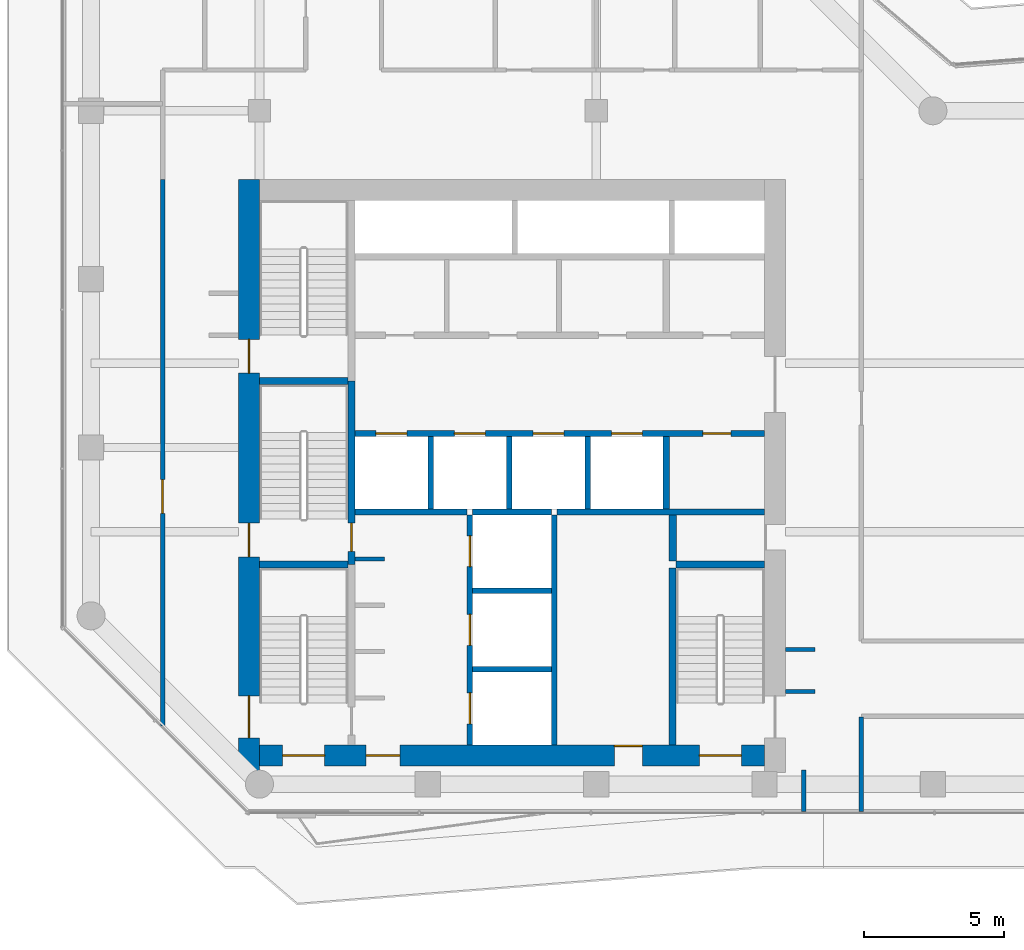
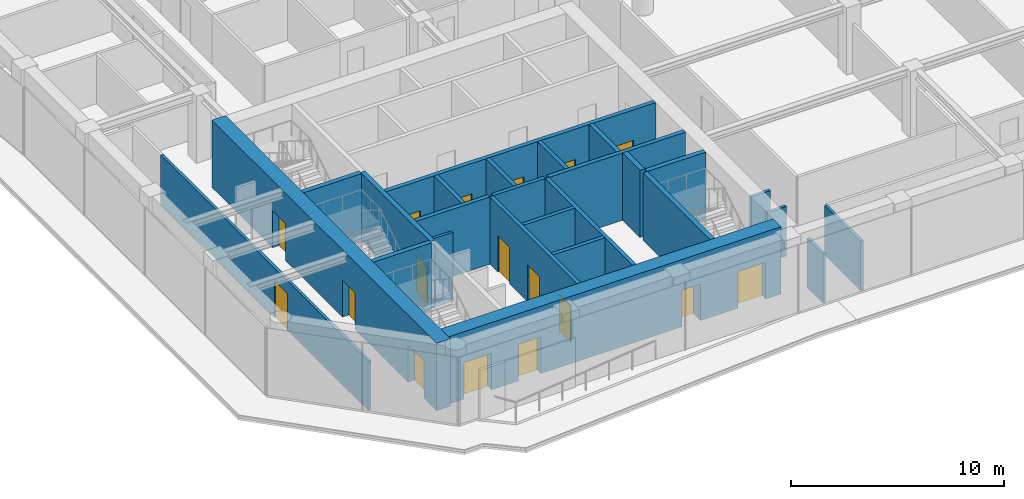
# One storey, part 20 of 25: 26 walls, 17 doors, 17 openings.
"""IFC4 building model written with IfcOpenShell, lengths in metres."""

from ifc_helpers import new_model, si_unit, direction, frame, frame_2d, origin, place, context, subcontext, project, spatial, rectangle, extrude, material, layer, layer_set, type_object, element, fill, save


model = new_model("IFC4")

# Units and contexts
model_context = context("Model", 3, precision=1e-05, world=origin(), true_north=direction((0.0, 1.0)))
body_context = subcontext(model_context, "Body", "Model", "MODEL_VIEW")
ifc_project = project(units=[si_unit("LENGTHUNIT", "METRE"), si_unit("AREAUNIT", "SQUARE_METRE"), si_unit("VOLUMEUNIT", "CUBIC_METRE"), si_unit("PLANEANGLEUNIT", "RADIAN"), si_unit("MASSUNIT", "GRAM", prefix="KILO")], contexts=[model_context])

# Site, building, storey
site_placement = place(None, origin())
site = spatial("IfcSite", under=ifc_project, at=site_placement, CompositionType="ELEMENT")
building_placement = place(site_placement, origin())
building = spatial("IfcBuilding", under=site, at=building_placement, Name="Welwitschia Terrace Campus", CompositionType="ELEMENT")
storey_placement = place(building_placement, frame((0.0, 0.0, 92.0)))
storey = spatial("IfcBuildingStorey", under=building, at=storey_placement, Name="L20", CompositionType="ELEMENT", Elevation=92.0)

# Walls
ifc_material_1 = material(Name="Concrete C32/40", Category="concrete")
ifc_layer_1 = layer(ifc_material_1, 0.22509765625)
ifc_layer_set_1 = layer_set([ifc_layer_1], Name="Concrete C32/40")
wall_type_1 = type_object("IfcWallType", Name="Core partition 225 Concrete C32/40", PredefinedType="PARTITIONING", material=ifc_layer_set_1)
wall_1_placement = place(storey_placement, frame((9.39990234375, 13.699951171875, 0.0), z_axis=(0.0, 0.0, 1.0), x_axis=(1.0, 0.0, 0.0)))
element("IfcWall", 1, at=wall_1_placement, inside=storey, type_object=wall_type_1, Name="Shaft wall", PredefinedType="PARTITIONING", context=body_context, shape_type="SweptSolid", body=[
    extrude(rectangle(XDim=4.0, YDim=0.22509765625, at=frame_2d((2.0, 0.0))), origin(), (0.0, 0.0, 1.0), 3.85009765625),
])
wall_2_placement = place(storey_placement, frame((16.60009765625, 13.699951171875, 0.0), z_axis=(0.0, 0.0, 1.0), x_axis=(1.0, 0.0, 0.0)))
element("IfcWall", 2, at=wall_2_placement, inside=storey, type_object=wall_type_1, Name="Shaft wall", PredefinedType="PARTITIONING", context=body_context, shape_type="SweptSolid", body=[
    extrude(rectangle(XDim=7.39990234375, YDim=0.22509765625, at=frame_2d((3.699951171875, 0.0))), origin(), (0.0, 0.0, 1.0), 3.85009765625),
])

# Wall, openings, doors
wall_3_placement = place(storey_placement, frame((9.39990234375, 16.5, 0.0), z_axis=(0.0, 0.0, 1.0), x_axis=(1.0, 0.0, 0.0)))
wall_3 = element("IfcWall", 3, at=wall_3_placement, inside=storey, type_object=wall_type_1, Name="Shaft wall", PredefinedType="PARTITIONING", context=body_context, shape_type="SweptSolid", body=[
    extrude(rectangle(XDim=14.60009765625, YDim=0.22509765625, at=frame_2d((7.300048828125, 0.0))), origin(), (0.0, 0.0, 1.0), 3.85009765625),
])
opening_1_placement = place(wall_3_placement, frame((0.75, 0.0, 0.0)))
opening_1 = element("IfcOpeningElement", 4, at=opening_1_placement, cuts=wall_3, Name="Opening LD", PredefinedType="OPENING", context=body_context, shape_type="SweptSolid", body=[
    extrude(rectangle(XDim=1.10009765625, YDim=2.10009765625, at=frame_2d((0.550048828125, 1.050048828125))), frame((0.0, 0.12255859375, 0.0), z_axis=(0.0, -1.0, 0.0), x_axis=(1.0, 0.0, 0.0)), (0.0, 0.0, 1.0), 0.2451171875),
])
opening_2_placement = place(wall_3_placement, frame((3.550048828125, 0.0, 0.0)))
opening_2 = element("IfcOpeningElement", 5, at=opening_2_placement, cuts=wall_3, Name="Opening LD", PredefinedType="OPENING", context=body_context, shape_type="SweptSolid", body=[
    extrude(rectangle(XDim=1.10009765625, YDim=2.10009765625, at=frame_2d((0.550048828125, 1.050048828125))), frame((0.0, 0.12255859375, 0.0), z_axis=(0.0, -1.0, 0.0), x_axis=(1.0, 0.0, 0.0)), (0.0, 0.0, 1.0), 0.2451171875),
])
opening_3_placement = place(wall_3_placement, frame((6.35009765625, 0.0, 0.0)))
opening_3 = element("IfcOpeningElement", 6, at=opening_3_placement, cuts=wall_3, Name="Opening LD", PredefinedType="OPENING", context=body_context, shape_type="SweptSolid", body=[
    extrude(rectangle(XDim=1.10009765625, YDim=2.10009765625, at=frame_2d((0.550048828125, 1.050048828125))), frame((0.0, 0.12255859375, 0.0), z_axis=(0.0, -1.0, 0.0), x_axis=(1.0, 0.0, 0.0)), (0.0, 0.0, 1.0), 0.2451171875),
])
opening_4_placement = place(wall_3_placement, frame((9.14990234375, 0.0, 0.0)))
opening_4 = element("IfcOpeningElement", 7, at=opening_4_placement, cuts=wall_3, Name="Opening LD", PredefinedType="OPENING", context=body_context, shape_type="SweptSolid", body=[
    extrude(rectangle(XDim=1.10009765625, YDim=2.10009765625, at=frame_2d((0.550048828125, 1.050048828125))), frame((0.0, 0.12255859375, 0.0), z_axis=(0.0, -1.0, 0.0), x_axis=(1.0, 0.0, 0.0)), (0.0, 0.0, 1.0), 0.2451171875),
])
opening_5_placement = place(wall_3_placement, frame((12.39990234375, 0.0, 0.0)))
opening_5 = element("IfcOpeningElement", 8, at=opening_5_placement, cuts=wall_3, Name="Opening DR10", PredefinedType="OPENING", context=body_context, shape_type="SweptSolid", body=[
    extrude(rectangle(XDim=1.0, YDim=2.10009765625, at=frame_2d((0.5, 1.050048828125))), frame((0.0, 0.12255859375, 0.0), z_axis=(0.0, -1.0, 0.0), x_axis=(1.0, 0.0, 0.0)), (0.0, 0.0, 1.0), 0.2451171875),
])
ifc_material_2 = material(Name="Steel S275", Category="steel")
door_type_1 = type_object("IfcDoorType", Name="Core door DR10", OperationType="SINGLE_SWING_LEFT", PredefinedType="DOOR", material=ifc_material_2)
door_1_placement = place(opening_5_placement, origin())
door_1 = element("IfcDoor", 9, at=door_1_placement, inside=storey, type_object=door_type_1, Name="Door EL-D", OperationType="SINGLE_SWING_RIGHT", OverallHeight=2.10009765625, OverallWidth=1.0, PredefinedType="DOOR", context=body_context, shape_type="SweptSolid", body=[
    extrude(rectangle(XDim=1.0, YDim=2.10009765625, at=frame_2d((0.5, 1.050048828125))), frame((0.0, 0.02490234375, 0.0), z_axis=(0.0, -1.0, 0.0), x_axis=(1.0, 0.0, 0.0)), (0.0, 0.0, 1.0), 0.050048828125),
])
fill(opening_5, door_1)
ifc_material_3 = material(Name="Stainless steel 304", Category="steel")
door_type_2 = type_object("IfcDoorType", Name="Lift landing door", OperationType="DOUBLE_DOOR_SLIDING", PredefinedType="DOOR", material=ifc_material_3)
door_2_placement = place(opening_1_placement, origin())
door_2 = element("IfcDoor", 10, at=door_2_placement, inside=storey, type_object=door_type_2, Name="Landing door LR1", OperationType="DOUBLE_DOOR_SLIDING", OverallHeight=2.10009765625, OverallWidth=1.10009765625, PredefinedType="DOOR", context=body_context, shape_type="SweptSolid", body=[
    extrude(rectangle(XDim=1.10009765625, YDim=2.10009765625, at=frame_2d((0.550048828125, 1.050048828125))), frame((0.0, 0.02490234375, 0.0), z_axis=(0.0, -1.0, 0.0), x_axis=(1.0, 0.0, 0.0)), (0.0, 0.0, 1.0), 0.050048828125),
])
fill(opening_1, door_2)
door_3_placement = place(opening_2_placement, origin())
door_3 = element("IfcDoor", 11, at=door_3_placement, inside=storey, type_object=door_type_2, Name="Landing door LR2", OperationType="DOUBLE_DOOR_SLIDING", OverallHeight=2.10009765625, OverallWidth=1.10009765625, PredefinedType="DOOR", context=body_context, shape_type="SweptSolid", body=[
    extrude(rectangle(XDim=1.10009765625, YDim=2.10009765625, at=frame_2d((0.550048828125, 1.050048828125))), frame((0.0, 0.02490234375, 0.0), z_axis=(0.0, -1.0, 0.0), x_axis=(1.0, 0.0, 0.0)), (0.0, 0.0, 1.0), 0.050048828125),
])
fill(opening_2, door_3)
door_4_placement = place(opening_3_placement, origin())
door_4 = element("IfcDoor", 12, at=door_4_placement, inside=storey, type_object=door_type_2, Name="Landing door LR3", OperationType="DOUBLE_DOOR_SLIDING", OverallHeight=2.10009765625, OverallWidth=1.10009765625, PredefinedType="DOOR", context=body_context, shape_type="SweptSolid", body=[
    extrude(rectangle(XDim=1.10009765625, YDim=2.10009765625, at=frame_2d((0.550048828125, 1.050048828125))), frame((0.0, 0.02490234375, 0.0), z_axis=(0.0, -1.0, 0.0), x_axis=(1.0, 0.0, 0.0)), (0.0, 0.0, 1.0), 0.050048828125),
])
fill(opening_3, door_4)
door_5_placement = place(opening_4_placement, origin())
door_5 = element("IfcDoor", 13, at=door_5_placement, inside=storey, type_object=door_type_2, Name="Landing door LR4", OperationType="DOUBLE_DOOR_SLIDING", OverallHeight=2.10009765625, OverallWidth=1.10009765625, PredefinedType="DOOR", context=body_context, shape_type="SweptSolid", body=[
    extrude(rectangle(XDim=1.10009765625, YDim=2.10009765625, at=frame_2d((0.550048828125, 1.050048828125))), frame((0.0, 0.02490234375, 0.0), z_axis=(0.0, -1.0, 0.0), x_axis=(1.0, 0.0, 0.0)), (0.0, 0.0, 1.0), 0.050048828125),
])
fill(opening_4, door_5)

# Walls
wall_4_placement = place(storey_placement, frame((20.5, 13.800048828125, 0.0), z_axis=(0.0, 0.0, 1.0), x_axis=(0.0, 1.0, 0.0)))
element("IfcWall", 14, at=wall_4_placement, inside=storey, type_object=wall_type_1, Name="Shaft wall", PredefinedType="PARTITIONING", context=body_context, shape_type="SweptSolid", body=[
    extrude(rectangle(XDim=2.599853515625, YDim=0.22509765625, at=frame_2d((1.2998046875, 0.0))), origin(), (0.0, 0.0, 1.0), 3.85009765625),
])
ifc_material_4 = material(Name="Concrete C32/40", Category="concrete")
ifc_layer_2 = layer(ifc_material_4, 0.27490234375)
ifc_layer_set_2 = layer_set([ifc_layer_2], Name="Concrete C32/40")
wall_type_2 = type_object("IfcWallType", Name="Core partition 275 Concrete C32/40", PredefinedType="PARTITIONING", material=ifc_layer_set_2)
wall_5_placement = place(storey_placement, frame((20.72509765625, 11.949951171875, 0.0), z_axis=(0.0, 0.0, 1.0), x_axis=(0.0, 1.0, 0.0)))
element("IfcWall", 15, at=wall_5_placement, inside=storey, type_object=wall_type_2, Name="Core partition", PredefinedType="PARTITIONING", context=body_context, shape_type="SweptSolid", body=[
    extrude(rectangle(XDim=1.650146484375, YDim=0.27490234375, at=frame_2d((0.8251953125, 0.0))), origin(), (0.0, 0.0, 1.0), 3.85009765625),
])
ifc_material_5 = material(Name="Concrete C50/60", Category="concrete")
ifc_layer_3 = layer(ifc_material_5, 0.14990234375)
ifc_layer_set_3 = layer_set([ifc_layer_3], Name="Concrete C50/60")
wall_type_3 = type_object("IfcWallType", Name="Core wall 150 Concrete C50/60", PredefinedType="SHEAR", material=ifc_layer_set_3)
wall_6_placement = place(storey_placement, frame((9.39990234375, 12.02490234375, 0.0), z_axis=(0.0, 0.0, 1.0), x_axis=(1.0, 0.0, 0.0)))
element("IfcWall", 16, at=wall_6_placement, inside=storey, type_object=wall_type_3, Name="Core wall", PredefinedType="SHEAR", context=body_context, shape_type="SweptSolid", body=[
    extrude(rectangle(XDim=1.050048828125, YDim=0.14990234375, at=frame_2d((0.52490234375, 0.0))), origin(), (0.0, 0.0, 1.0), 3.85009765625),
])
ifc_material_6 = material(Name="Concrete C50/60", Category="concrete")
ifc_layer_4 = layer(ifc_material_6, 0.199951171875)
ifc_layer_set_4 = layer_set([ifc_layer_4], Name="Concrete C50/60")
wall_type_4 = type_object("IfcWallType", Name="Core wall 200 Concrete C50/60", PredefinedType="SHEAR", material=ifc_layer_set_4)
for number, where, z_axis, x_axis, name in (
    (17, (13.60009765625, 8.10009765625, 0.0), (0.0, 0.0, 1.0), (1.0, 0.0, 0.0), "Core wall"),
    (18, (13.60009765625, 10.89990234375, 0.0), (0.0, 0.0, 1.0), (1.0, 0.0, 0.0), "Core wall"),
    (19, (13.60009765625, 13.699951171875, 0.0), (0.0, 0.0, 1.0), (1.0, 0.0, 0.0), "Core wall"),
):
    element("IfcWall", number, at=place(storey_placement, frame(where, z_axis=z_axis, x_axis=x_axis)), inside=storey, type_object=wall_type_4, Name=name, PredefinedType="SHEAR", context=body_context, shape_type="SweptSolid", body=[
        extrude(rectangle(XDim=2.7998046875, YDim=0.199951171875, at=frame_2d((1.39990234375, 0.0))), origin(), (0.0, 0.0, 1.0), 3.85009765625),
    ])

# Wall, openings, doors
wall_7_placement = place(storey_placement, frame((13.5, 5.39990234375, 0.0), z_axis=(0.0, 0.0, 1.0), x_axis=(0.0, 1.0, 0.0)))
wall_7 = element("IfcWall", 20, at=wall_7_placement, inside=storey, type_object=wall_type_4, Name="Core wall", PredefinedType="SHEAR", context=body_context, shape_type="SweptSolid", body=[
    extrude(rectangle(XDim=8.2001953125, YDim=0.199951171875, at=frame_2d((4.10009765625, 0.0))), origin(), (0.0, 0.0, 1.0), 3.85009765625),
])
opening_6_placement = place(wall_7_placement, frame((0.75, 0.0, 0.0)))
opening_6 = element("IfcOpeningElement", 21, at=opening_6_placement, cuts=wall_7, Name="Opening LD", PredefinedType="OPENING", context=body_context, shape_type="SweptSolid", body=[
    extrude(rectangle(XDim=1.10009765625, YDim=2.10009765625, at=frame_2d((0.550048828125, 1.050048828125))), frame((0.0, 0.10986328125, 0.0), z_axis=(0.0, -1.0, 0.0), x_axis=(1.0, 0.0, 0.0)), (0.0, 0.0, 1.0), 0.219970703125),
])
opening_7_placement = place(wall_7_placement, frame((3.550048828125, 0.0, 0.0)))
opening_7 = element("IfcOpeningElement", 22, at=opening_7_placement, cuts=wall_7, Name="Opening LD", PredefinedType="OPENING", context=body_context, shape_type="SweptSolid", body=[
    extrude(rectangle(XDim=1.10009765625, YDim=2.10009765625, at=frame_2d((0.550048828125, 1.050048828125))), frame((0.0, 0.10986328125, 0.0), z_axis=(0.0, -1.0, 0.0), x_axis=(1.0, 0.0, 0.0)), (0.0, 0.0, 1.0), 0.219970703125),
])
opening_8_placement = place(wall_7_placement, frame((6.35009765625, 0.0, 0.0)))
opening_8 = element("IfcOpeningElement", 23, at=opening_8_placement, cuts=wall_7, Name="Opening LD", PredefinedType="OPENING", context=body_context, shape_type="SweptSolid", body=[
    extrude(rectangle(XDim=1.10009765625, YDim=2.10009765625, at=frame_2d((0.550048828125, 1.050048828125))), frame((0.0, 0.10986328125, 0.0), z_axis=(0.0, -1.0, 0.0), x_axis=(1.0, 0.0, 0.0)), (0.0, 0.0, 1.0), 0.219970703125),
])
door_6_placement = place(opening_6_placement, origin())
door_6 = element("IfcDoor", 24, at=door_6_placement, inside=storey, type_object=door_type_2, Name="Landing door FF1", OperationType="DOUBLE_DOOR_SLIDING", OverallHeight=2.10009765625, OverallWidth=1.10009765625, PredefinedType="DOOR", context=body_context, shape_type="SweptSolid", body=[
    extrude(rectangle(XDim=1.10009765625, YDim=2.10009765625, at=frame_2d((0.550048828125, 1.050048828125))), frame((0.0, 0.02490234375, 0.0), z_axis=(0.0, -1.0, 0.0), x_axis=(1.0, 0.0, 0.0)), (0.0, 0.0, 1.0), 0.050048828125),
])
fill(opening_6, door_6)
door_7_placement = place(opening_7_placement, origin())
door_7 = element("IfcDoor", 25, at=door_7_placement, inside=storey, type_object=door_type_2, Name="Landing door FF2", OperationType="DOUBLE_DOOR_SLIDING", OverallHeight=2.10009765625, OverallWidth=1.10009765625, PredefinedType="DOOR", context=body_context, shape_type="SweptSolid", body=[
    extrude(rectangle(XDim=1.10009765625, YDim=2.10009765625, at=frame_2d((0.550048828125, 1.050048828125))), frame((0.0, 0.02490234375, 0.0), z_axis=(0.0, -1.0, 0.0), x_axis=(1.0, 0.0, 0.0)), (0.0, 0.0, 1.0), 0.050048828125),
])
fill(opening_7, door_7)
door_8_placement = place(opening_8_placement, origin())
door_8 = element("IfcDoor", 26, at=door_8_placement, inside=storey, type_object=door_type_2, Name="Landing door SV1", OperationType="DOUBLE_DOOR_SLIDING", OverallHeight=2.10009765625, OverallWidth=1.10009765625, PredefinedType="DOOR", context=body_context, shape_type="SweptSolid", body=[
    extrude(rectangle(XDim=1.10009765625, YDim=2.10009765625, at=frame_2d((0.550048828125, 1.050048828125))), frame((0.0, 0.02490234375, 0.0), z_axis=(0.0, -1.0, 0.0), x_axis=(1.0, 0.0, 0.0)), (0.0, 0.0, 1.0), 0.050048828125),
])
fill(opening_8, door_8)

# Walls
wall_8_placement = place(storey_placement, frame((16.5, 5.39990234375, 0.0), z_axis=(0.0, 0.0, 1.0), x_axis=(0.0, 1.0, 0.0)))
element("IfcWall", 27, at=wall_8_placement, inside=storey, type_object=wall_type_4, Name="Core wall", PredefinedType="SHEAR", context=body_context, shape_type="SweptSolid", body=[
    extrude(rectangle(XDim=8.2001953125, YDim=0.199951171875, at=frame_2d((4.10009765625, 0.0))), origin(), (0.0, 0.0, 1.0), 3.85009765625),
])
ifc_material_7 = material(Name="Concrete C50/60", Category="concrete")
ifc_layer_5 = layer(ifc_material_7, 0.25)
ifc_layer_set_5 = layer_set([ifc_layer_5], Name="Concrete C50/60")
wall_type_5 = type_object("IfcWallType", Name="Core wall 250 Concrete C50/60", PredefinedType="SHEAR", material=ifc_layer_set_5)
for number, where, z_axis, x_axis, name in (
    (28, (6.0, 11.824951171875, 0.0), (0.0, 0.0, 1.0), (1.0, 0.0, 0.0), "Core wall"),
    (29, (20.85009765625, 11.824951171875, 0.0), (0.0, 0.0, 1.0), (1.0, 0.0, 0.0), "Core wall"),
    (30, (6.0, 18.375, 0.0), (0.0, 0.0, 1.0), (1.0, 0.0, 0.0), "Core wall"),
):
    element("IfcWall", number, at=place(storey_placement, frame(where, z_axis=z_axis, x_axis=x_axis)), inside=storey, type_object=wall_type_5, Name=name, PredefinedType="SHEAR", context=body_context, shape_type="SweptSolid", body=[
        extrude(rectangle(XDim=3.14990234375, YDim=0.25, at=frame_2d((1.574951171875, 0.0))), origin(), (0.0, 0.0, 1.0), 3.85009765625),
    ])

# Wall, opening, door
wall_9_placement = place(storey_placement, frame((9.27490234375, 18.375, 0.0), z_axis=(0.0, 0.0, 1.0), x_axis=(0.0, -1.0, 0.0)))
wall_9 = element("IfcWall", 31, at=wall_9_placement, inside=storey, type_object=wall_type_5, Name="Core wall", PredefinedType="SHEAR", context=body_context, shape_type="SweptSolid", body=[
    extrude(rectangle(XDim=6.550048828125, YDim=0.25, at=frame_2d((3.27490234375, 0.0))), origin(), (0.0, 0.0, 1.0), 3.85009765625),
])
opening_9_placement = place(wall_9_placement, frame((5.074951171875, 0.0, 0.0)))
opening_9 = element("IfcOpeningElement", 32, at=opening_9_placement, cuts=wall_9, Name="Opening DS10", PredefinedType="OPENING", context=body_context, shape_type="SweptSolid", body=[
    extrude(rectangle(XDim=1.0, YDim=2.10009765625, at=frame_2d((0.5, 1.050048828125))), frame((0.0, 0.135009765625, 0.0), z_axis=(0.0, -1.0, 0.0), x_axis=(1.0, 0.0, 0.0)), (0.0, 0.0, 1.0), 0.27001953125),
])
ifc_material_8 = material(Name="Steel S275", Category="steel")
door_type_3 = type_object("IfcDoorType", Name="Core door DS10", OperationType="SINGLE_SWING_LEFT", PredefinedType="DOOR", material=ifc_material_8)
door_9_placement = place(opening_9_placement, origin())
door_9 = element("IfcDoor", 33, at=door_9_placement, inside=storey, type_object=door_type_3, Name="Door S3-FL", OperationType="SINGLE_SWING_RIGHT", OverallHeight=2.10009765625, OverallWidth=1.0, PredefinedType="DOOR", context=body_context, shape_type="SweptSolid", body=[
    extrude(rectangle(XDim=1.0, YDim=2.10009765625, at=frame_2d((0.5, 1.050048828125))), frame((0.0, 0.02490234375, 0.0), z_axis=(0.0, -1.0, 0.0), x_axis=(1.0, 0.0, 0.0)), (0.0, 0.0, 1.0), 0.050048828125),
])
fill(opening_9, door_9)

# Wall
wall_10_placement = place(storey_placement, frame((20.72509765625, 5.39990234375, 0.0), z_axis=(0.0, 0.0, 1.0), x_axis=(0.0, 1.0, 0.0)))
element("IfcWall", 34, at=wall_10_placement, inside=storey, type_object=wall_type_5, Name="Core wall", PredefinedType="SHEAR", context=body_context, shape_type="SweptSolid", body=[
    extrude(rectangle(XDim=6.300048828125, YDim=0.25, at=frame_2d((3.14990234375, 0.0))), origin(), (0.0, 0.0, 1.0), 3.85009765625),
])

# Wall, openings, doors
ifc_material_9 = material(Name="Concrete C70/85", Category="concrete")
ifc_layer_6 = layer(ifc_material_9, 0.75)
ifc_layer_set_6 = layer_set([ifc_layer_6], Name="Concrete C70/85")
wall_type_6 = type_object("IfcWallType", Name="Core wall 750 Concrete C70/85", PredefinedType="SHEAR", material=ifc_layer_set_6)
wall_11_placement = place(storey_placement, frame((5.625, 4.469970703125, 0.0), z_axis=(0.0, 0.0, 1.0), x_axis=(0.0, 1.0, 0.0)))
wall_11 = element("IfcWall", 35, at=wall_11_placement, inside=storey, type_object=wall_type_6, Name="Core outer wall", PredefinedType="SHEAR", context=body_context, shape_type="SweptSolid", body=[
    extrude(rectangle(XDim=21.080078125, YDim=0.75, at=frame_2d((10.5400390625, 0.0))), origin(), (0.0, 0.0, 1.0), 3.85009765625),
])
opening_10_placement = place(wall_11_placement, frame((1.179931640625, 0.0, 0.0)))
opening_10 = element("IfcOpeningElement", 36, at=opening_10_placement, cuts=wall_11, Name="Opening DS15", PredefinedType="OPENING", context=body_context, shape_type="SweptSolid", body=[
    extrude(rectangle(XDim=1.5, YDim=2.10009765625, at=frame_2d((0.75, 1.050048828125))), frame((0.0, 0.385009765625, 0.0), z_axis=(0.0, -1.0, 0.0), x_axis=(1.0, 0.0, 0.0)), (0.0, 0.0, 1.0), 0.77001953125),
])
opening_11_placement = place(wall_11_placement, frame((7.6298828125, 0.0, 0.0)))
opening_11 = element("IfcOpeningElement", 37, at=opening_11_placement, cuts=wall_11, Name="Opening DS12", PredefinedType="OPENING", context=body_context, shape_type="SweptSolid", body=[
    extrude(rectangle(XDim=1.199951171875, YDim=2.10009765625, at=frame_2d((0.60009765625, 1.050048828125))), frame((0.0, 0.385009765625, 0.0), z_axis=(0.0, -1.0, 0.0), x_axis=(1.0, 0.0, 0.0)), (0.0, 0.0, 1.0), 0.77001953125),
])
opening_12_placement = place(wall_11_placement, frame((14.179931640625, 0.0, 0.0)))
opening_12 = element("IfcOpeningElement", 38, at=opening_12_placement, cuts=wall_11, Name="Opening DS12", PredefinedType="OPENING", context=body_context, shape_type="SweptSolid", body=[
    extrude(rectangle(XDim=1.199951171875, YDim=2.10009765625, at=frame_2d((0.60009765625, 1.050048828125))), frame((0.0, 0.385009765625, 0.0), z_axis=(0.0, -1.0, 0.0), x_axis=(1.0, 0.0, 0.0)), (0.0, 0.0, 1.0), 0.77001953125),
])
ifc_material_10 = material(Name="Steel S275", Category="steel")
door_type_4 = type_object("IfcDoorType", Name="Core door DS12", OperationType="SINGLE_SWING_LEFT", PredefinedType="DOOR", material=ifc_material_10)
door_10_placement = place(opening_11_placement, origin())
door_10 = element("IfcDoor", 39, at=door_10_placement, inside=storey, type_object=door_type_4, Name="Door S3-out", OperationType="SINGLE_SWING_LEFT", OverallHeight=2.10009765625, OverallWidth=1.199951171875, PredefinedType="DOOR", context=body_context, shape_type="SweptSolid", body=[
    extrude(rectangle(XDim=1.199951171875, YDim=2.10009765625, at=frame_2d((0.60009765625, 1.050048828125))), frame((0.0, 0.02490234375, 0.0), z_axis=(0.0, -1.0, 0.0), x_axis=(1.0, 0.0, 0.0)), (0.0, 0.0, 1.0), 0.050048828125),
])
fill(opening_11, door_10)
door_11_placement = place(opening_12_placement, origin())
door_11 = element("IfcDoor", 40, at=door_11_placement, inside=storey, type_object=door_type_4, Name="Door S4-out", OperationType="SINGLE_SWING_RIGHT", OverallHeight=2.10009765625, OverallWidth=1.199951171875, PredefinedType="DOOR", context=body_context, shape_type="SweptSolid", body=[
    extrude(rectangle(XDim=1.199951171875, YDim=2.10009765625, at=frame_2d((0.60009765625, 1.050048828125))), frame((0.0, 0.02490234375, 0.0), z_axis=(0.0, -1.0, 0.0), x_axis=(1.0, 0.0, 0.0)), (0.0, 0.0, 1.0), 0.050048828125),
])
fill(opening_12, door_11)
ifc_material_11 = material(Name="Steel S275", Category="steel")
door_type_5 = type_object("IfcDoorType", Name="Core door DS15", OperationType="DOUBLE_DOOR_SINGLE_SWING", PredefinedType="DOOR", material=ifc_material_11)
door_12_placement = place(opening_10_placement, origin())
door_12 = element("IfcDoor", 41, at=door_12_placement, inside=storey, type_object=door_type_5, Name="Door S1-out", OperationType="DOUBLE_DOOR_SINGLE_SWING", OverallHeight=2.10009765625, OverallWidth=1.5, PredefinedType="DOOR", context=body_context, shape_type="SweptSolid", body=[
    extrude(rectangle(XDim=1.5, YDim=2.10009765625, at=frame_2d((0.75, 1.050048828125))), frame((0.0, 0.02490234375, 0.0), z_axis=(0.0, -1.0, 0.0), x_axis=(1.0, 0.0, 0.0)), (0.0, 0.0, 1.0), 0.050048828125),
])
fill(opening_10, door_12)

wall_12_placement = place(storey_placement, frame((24.0, 5.02490234375, 0.0), z_axis=(0.0, 0.0, 1.0), x_axis=(-1.0, 0.0, 0.0)))
wall_12 = element("IfcWall", 42, at=wall_12_placement, inside=storey, type_object=wall_type_6, Name="Core outer wall", PredefinedType="SHEAR", context=body_context, shape_type="SweptSolid", body=[
    extrude(rectangle(XDim=18.0, YDim=0.75, at=frame_2d((9.0, 0.0))), origin(), (0.0, 0.0, 1.0), 3.85009765625),
])
opening_13_placement = place(wall_12_placement, frame((0.824951171875, 0.0, 0.0)))
opening_13 = element("IfcOpeningElement", 43, at=opening_13_placement, cuts=wall_12, Name="Opening DS15", PredefinedType="OPENING", context=body_context, shape_type="SweptSolid", body=[
    extrude(rectangle(XDim=1.5, YDim=2.10009765625, at=frame_2d((0.75, 1.050048828125))), frame((0.0, 0.385009765625, 0.0), z_axis=(0.0, -1.0, 0.0), x_axis=(1.0, 0.0, 0.0)), (0.0, 0.0, 1.0), 0.77001953125),
])
opening_14_placement = place(wall_12_placement, frame((15.675048828125, 0.0, 0.0)))
opening_14 = element("IfcOpeningElement", 44, at=opening_14_placement, cuts=wall_12, Name="Opening DS15", PredefinedType="OPENING", context=body_context, shape_type="SweptSolid", body=[
    extrude(rectangle(XDim=1.5, YDim=2.10009765625, at=frame_2d((0.75, 1.050048828125))), frame((0.0, 0.385009765625, 0.0), z_axis=(0.0, -1.0, 0.0), x_axis=(1.0, 0.0, 0.0)), (0.0, 0.0, 1.0), 0.77001953125),
])
opening_15_placement = place(wall_12_placement, frame((13.0, 0.0, 0.0)))
opening_15 = element("IfcOpeningElement", 45, at=opening_15_placement, cuts=wall_12, Name="Opening DF12", PredefinedType="OPENING", context=body_context, shape_type="SweptSolid", body=[
    extrude(rectangle(XDim=1.199951171875, YDim=2.10009765625, at=frame_2d((0.60009765625, 1.050048828125))), frame((0.0, 0.385009765625, 0.0), z_axis=(0.0, -1.0, 0.0), x_axis=(1.0, 0.0, 0.0)), (0.0, 0.0, 1.0), 0.77001953125),
])
opening_16_placement = place(wall_12_placement, frame((4.35009765625, 0.0, 0.0)))
opening_16 = element("IfcOpeningElement", 46, at=opening_16_placement, cuts=wall_12, Name="Opening DR10", PredefinedType="OPENING", context=body_context, shape_type="SweptSolid", body=[
    extrude(rectangle(XDim=1.0, YDim=2.10009765625, at=frame_2d((0.5, 1.050048828125))), frame((0.0, 0.385009765625, 0.0), z_axis=(0.0, -1.0, 0.0), x_axis=(1.0, 0.0, 0.0)), (0.0, 0.0, 1.0), 0.77001953125),
])
ifc_material_12 = material(Name="Steel S275", Category="steel")
door_type_6 = type_object("IfcDoorType", Name="Core door DF12", OperationType="SINGLE_SWING_LEFT", PredefinedType="DOOR", material=ifc_material_12)
door_13_placement = place(opening_15_placement, origin())
door_13 = element("IfcDoor", 47, at=door_13_placement, inside=storey, type_object=door_type_6, Name="Door FL-out", OperationType="SINGLE_SWING_RIGHT", OverallHeight=2.10009765625, OverallWidth=1.199951171875, PredefinedType="DOOR", context=body_context, shape_type="SweptSolid", body=[
    extrude(rectangle(XDim=1.199951171875, YDim=2.10009765625, at=frame_2d((0.60009765625, 1.050048828125))), frame((0.0, 0.02490234375, 0.0), z_axis=(0.0, -1.0, 0.0), x_axis=(1.0, 0.0, 0.0)), (0.0, 0.0, 1.0), 0.050048828125),
])
fill(opening_15, door_13)
door_14_placement = place(opening_16_placement, origin())
door_14 = element("IfcDoor", 48, at=door_14_placement, inside=storey, type_object=door_type_1, Name="Door F1-out", OperationType="SINGLE_SWING_LEFT", OverallHeight=2.10009765625, OverallWidth=1.0, PredefinedType="DOOR", context=body_context, shape_type="SweptSolid", body=[
    extrude(rectangle(XDim=1.0, YDim=2.10009765625, at=frame_2d((0.5, 1.050048828125))), frame((0.0, -0.31494140625, 0.0), z_axis=(0.0, -1.0, 0.0), x_axis=(1.0, 0.0, 0.0)), (0.0, 0.0, 1.0), 0.050048828125),
])
fill(opening_16, door_14)
door_15_placement = place(opening_13_placement, origin())
door_15 = element("IfcDoor", 49, at=door_15_placement, inside=storey, type_object=door_type_5, Name="Door S2-outS", OperationType="DOUBLE_DOOR_SINGLE_SWING", OverallHeight=2.10009765625, OverallWidth=1.5, PredefinedType="DOOR", context=body_context, shape_type="SweptSolid", body=[
    extrude(rectangle(XDim=1.5, YDim=2.10009765625, at=frame_2d((0.75, 1.050048828125))), frame((0.0, 0.02490234375, 0.0), z_axis=(0.0, -1.0, 0.0), x_axis=(1.0, 0.0, 0.0)), (0.0, 0.0, 1.0), 0.050048828125),
])
fill(opening_13, door_15)
door_16_placement = place(opening_14_placement, origin())
door_16 = element("IfcDoor", 50, at=door_16_placement, inside=storey, type_object=door_type_5, Name="Door S1-outS", OperationType="DOUBLE_DOOR_SINGLE_SWING", OverallHeight=2.10009765625, OverallWidth=1.5, PredefinedType="DOOR", context=body_context, shape_type="SweptSolid", body=[
    extrude(rectangle(XDim=1.5, YDim=2.10009765625, at=frame_2d((0.75, 1.050048828125))), frame((0.0, 0.02490234375, 0.0), z_axis=(0.0, -1.0, 0.0), x_axis=(1.0, 0.0, 0.0)), (0.0, 0.0, 1.0), 0.050048828125),
])
fill(opening_14, door_16)

# Wall, opening, door
ifc_material_13 = material(Name="Gypsum board on steel studs", Category="steel")
ifc_layer_7 = layer(ifc_material_13, 0.14990234375)
ifc_layer_set_7 = layer_set([ifc_layer_7], Name="Gypsum board on steel studs")
wall_type_7 = type_object("IfcWallType", Name="Corridor partition 150 EI 30", PredefinedType="PARTITIONING", material=ifc_layer_set_7)
wall_13_placement = place(storey_placement, frame((2.550048828125, 6.078125, 0.0), z_axis=(0.0, 0.0, 1.0), x_axis=(0.0, 1.0, 0.0)))
wall_13 = element("IfcWall", 51, at=wall_13_placement, inside=storey, type_object=wall_type_7, Name="Partition", PredefinedType="PARTITIONING", context=body_context, shape_type="SweptSolid", body=[
    extrude(rectangle(XDim=19.471923828125, YDim=0.14990234375, at=frame_2d((9.73583984375, 0.0))), origin(), (0.0, 0.0, 1.0), 2.830078125),
])
opening_17_placement = place(wall_13_placement, frame((7.57177734375, 0.0, 0.0)))
opening_17 = element("IfcOpeningElement", 52, at=opening_17_placement, cuts=wall_13, Name="Opening DI12", PredefinedType="OPENING", context=body_context, shape_type="SweptSolid", body=[
    extrude(rectangle(XDim=1.199951171875, YDim=2.10009765625, at=frame_2d((0.60009765625, 1.050048828125))), frame((0.0, 0.0849609375, 0.0), z_axis=(0.0, -1.0, 0.0), x_axis=(1.0, 0.0, 0.0)), (0.0, 0.0, 1.0), 0.169921875),
])
ifc_material_14 = material(Name="Timber veneered door", Category="wood")
door_type_7 = type_object("IfcDoorType", Name="Interior door DI12", OperationType="NOTDEFINED", PredefinedType="DOOR", material=ifc_material_14)
door_17_placement = place(opening_17_placement, origin())
door_17 = element("IfcDoor", 53, at=door_17_placement, inside=storey, type_object=door_type_7, Name="Door L20 439", OperationType="SINGLE_SWING_RIGHT", OverallHeight=2.10009765625, OverallWidth=1.199951171875, PredefinedType="DOOR", context=body_context, shape_type="SweptSolid", body=[
    extrude(rectangle(XDim=1.199951171875, YDim=2.10009765625, at=frame_2d((0.60009765625, 1.050048828125))), frame((0.0, 0.02490234375, 0.0), z_axis=(0.0, -1.0, 0.0), x_axis=(1.0, 0.0, 0.0)), (0.0, 0.0, 1.0), 0.050048828125),
])
fill(opening_17, door_17)

# Walls
for number, where, z_axis, x_axis, name in (
    (54, (24.75, 7.300048828125, 0.0), (0.0, 0.0, 1.0), (1.0, 0.0, 0.0), "Partition"),
    (55, (24.75, 8.800048828125, 0.0), (0.0, 0.0, 1.0), (1.0, 0.0, 0.0), "Partition"),
):
    element("IfcWall", number, at=place(storey_placement, frame(where, z_axis=z_axis, x_axis=x_axis)), inside=storey, type_object=wall_type_7, Name=name, PredefinedType="PARTITIONING", context=body_context, shape_type="SweptSolid", body=[
        extrude(rectangle(XDim=1.050048828125, YDim=0.14990234375, at=frame_2d((0.52490234375, 0.0))), origin(), (0.0, 0.0, 1.0), 2.830078125),
    ])
wall_14_placement = place(storey_placement, frame((25.39990234375, 3.02001953125, 0.0), z_axis=(0.0, 0.0, 1.0), x_axis=(0.0, 1.0, 0.0)))
element("IfcWall", 56, at=wall_14_placement, inside=storey, type_object=wall_type_7, Name="Partition", PredefinedType="PARTITIONING", context=body_context, shape_type="SweptSolid", body=[
    extrude(rectangle(XDim=1.47998046875, YDim=0.14990234375, at=frame_2d((0.739990234375, 0.0))), origin(), (0.0, 0.0, 1.0), 2.830078125),
])
wall_15_placement = place(storey_placement, frame((27.449951171875, 3.02001953125, 0.0), z_axis=(0.0, 0.0, 1.0), x_axis=(0.0, 1.0, 0.0)))
element("IfcWall", 57, at=wall_15_placement, inside=storey, type_object=wall_type_7, Name="Partition", PredefinedType="PARTITIONING", context=body_context, shape_type="SweptSolid", body=[
    extrude(rectangle(XDim=3.3798828125, YDim=0.14990234375, at=frame_2d((1.68994140625, 0.0))), origin(), (0.0, 0.0, 1.0), 2.830078125),
])
ifc_material_15 = material(Name="Concrete C32/40", Category="concrete")
ifc_layer_8 = layer(ifc_material_15, 0.199951171875)
ifc_layer_set_8 = layer_set([ifc_layer_8], Name="Concrete C32/40")
wall_type_8 = type_object("IfcWallType", Name="Shaft wall 200 Concrete C32/40", PredefinedType="SOLIDWALL", material=ifc_layer_set_8)
for number, where, z_axis, x_axis, name in (
    (58, (12.10009765625, 13.800048828125, 0.0), (0.0, 0.0, 1.0), (0.0, 1.0, 0.0), "Shaft wall"),
    (59, (14.89990234375, 13.800048828125, 0.0), (0.0, 0.0, 1.0), (0.0, 1.0, 0.0), "Shaft wall"),
    (60, (17.699951171875, 13.800048828125, 0.0), (0.0, 0.0, 1.0), (0.0, 1.0, 0.0), "Shaft wall"),
):
    element("IfcWall", number, at=place(storey_placement, frame(where, z_axis=z_axis, x_axis=x_axis)), inside=storey, type_object=wall_type_8, Name=name, PredefinedType="SOLIDWALL", context=body_context, shape_type="SweptSolid", body=[
        extrude(rectangle(XDim=2.599853515625, YDim=0.199951171875, at=frame_2d((1.2998046875, 0.0))), origin(), (0.0, 0.0, 1.0), 3.85009765625),
    ])

save(model, "model.ifc")
